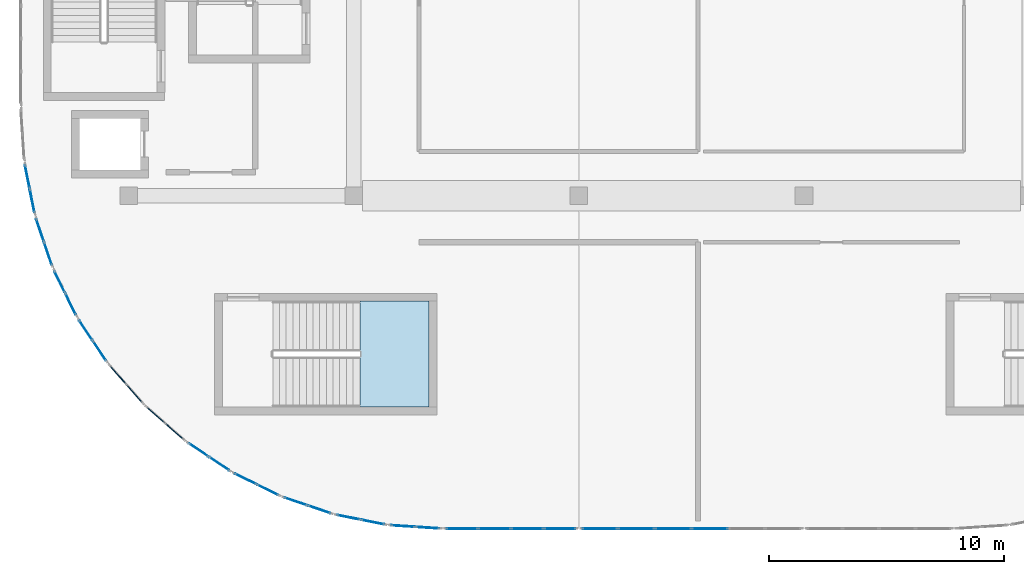
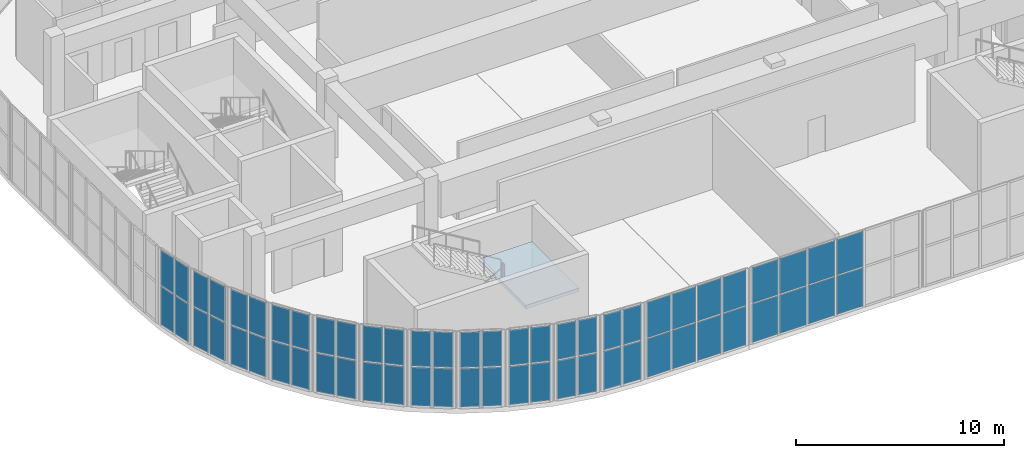
# One storey, part 15 of 28: 60 plates, 1 slab, 14 elements without a shape of their own.
"""IFC4 building model written with IfcOpenShell, lengths in metres."""

from ifc_helpers import new_model, si_unit, direction, frame, origin, origin_2d, place, context, subcontext, project, spatial, polyline, rectangle, outline, extrude, material, layer, layer_set, type_object, element, aggregate, save


model = new_model("IFC4")

# Units and contexts
model_context = context("Model", 3, precision=1e-05, world=origin(), true_north=direction((0.0, 1.0)))
body_context = subcontext(model_context, "Body", "Model", "MODEL_VIEW")
ifc_project = project(units=[si_unit("LENGTHUNIT", "METRE"), si_unit("AREAUNIT", "SQUARE_METRE"), si_unit("VOLUMEUNIT", "CUBIC_METRE"), si_unit("PLANEANGLEUNIT", "RADIAN"), si_unit("MASSUNIT", "GRAM", prefix="KILO")], contexts=[model_context])

# Site, building, storey
site_placement = place(None, origin())
site = spatial("IfcSite", under=ifc_project, at=site_placement, CompositionType="ELEMENT")
building_placement = place(site_placement, origin())
building = spatial("IfcBuilding", under=site, at=building_placement, Name="Cendralis Terraced Arcade", CompositionType="ELEMENT")
storey_placement = place(building_placement, frame((0.0, 0.0, 24.60009765625)))
storey = spatial("IfcBuildingStorey", under=building, at=storey_placement, Name="L05", CompositionType="ELEMENT", Elevation=24.60009765625)

# Curtain wall, plates
ifc_material_1 = material(Name="Anodised aluminium EN AW-6063 T6", Category="aluminium")
ifc_layer_1 = layer(ifc_material_1, 0.179931640625, Name="CW-UNIT-A")
ifc_layer_set_1 = layer_set([ifc_layer_1], Name="Anodised aluminium EN AW-6063 T6")
curtain_wall_type_1 = type_object("IfcCurtainWallType", Name="CW-UNIT-A", PredefinedType="USERDEFINED", material=ifc_layer_set_1)
curtain_wall_1_placement = place(storey_placement, origin())
curtain_wall_1 = element("IfcCurtainWall", 1, at=curtain_wall_1_placement, inside=storey, type_object=curtain_wall_type_1, Name="Exterior Unitised Facade CW-L05-0417", ObjectType="UNITISED FACADE", PredefinedType="USERDEFINED")
ifc_material_2 = material(Name="Tempered solar control laminated glass", Category="glass")
ifc_layer_2 = layer(ifc_material_2, 0.035888671875, Name="CW-UNIT-A-PNL")
ifc_layer_set_2 = layer_set([ifc_layer_2], Name="Tempered solar control laminated glass")
plate_type_1 = type_object("IfcPlateType", Name="CW-UNIT-A-PNL", PredefinedType="CURTAIN_PANEL", material=ifc_layer_set_2)
plate_1_placement = place(storey_placement, frame((22.3515625, 5.04248046875, 0.06494140625), z_axis=(0.0, 0.0, 1.0), x_axis=(-0.99785960626, 0.065392707503, 0.0)))
plate_1 = element("IfcPlate", 2, at=plate_1_placement, type_object=plate_type_1, Name="CW-U1 panel 1.1", PredefinedType="CURTAIN_PANEL", context=body_context, shape_type="SweptSolid", body=[
    extrude(rectangle(XDim=0.98974609375, YDim=0.035888671875, at=origin_2d()), origin(), (0.0, 0.0, 1.0), 2.247802734375),
])
plate_2_placement = place(storey_placement, frame((22.3515625, 5.04248046875, 2.37744140625), z_axis=(0.0, 0.0, 1.0), x_axis=(-0.99785960626, 0.065392707503, 0.0)))
plate_2 = element("IfcPlate", 3, at=plate_2_placement, type_object=plate_type_1, Name="CW-U1 panel 1.2", PredefinedType="CURTAIN_PANEL", context=body_context, shape_type="SweptSolid", body=[
    extrude(rectangle(XDim=0.98974609375, YDim=0.035888671875, at=origin_2d()), origin(), (0.0, 0.0, 1.0), 2.0673828125),
])
plate_3_placement = place(storey_placement, frame((21.299072265625, 5.111572265625, 0.06494140625), z_axis=(0.0, 0.0, 1.0), x_axis=(-0.99785960626, 0.065392707503, 0.0)))
plate_3 = element("IfcPlate", 4, at=plate_3_placement, type_object=plate_type_1, Name="CW-U1 panel 2.1", PredefinedType="CURTAIN_PANEL", context=body_context, shape_type="SweptSolid", body=[
    extrude(rectangle(XDim=0.98974609375, YDim=0.035888671875, at=origin_2d()), origin(), (0.0, 0.0, 1.0), 2.247802734375),
])
plate_4_placement = place(storey_placement, frame((21.299072265625, 5.111572265625, 2.37744140625), z_axis=(0.0, 0.0, 1.0), x_axis=(-0.99785960626, 0.065392707503, 0.0)))
plate_4 = element("IfcPlate", 5, at=plate_4_placement, type_object=plate_type_1, Name="CW-U1 panel 2.2", PredefinedType="CURTAIN_PANEL", context=body_context, shape_type="SweptSolid", body=[
    extrude(rectangle(XDim=0.98974609375, YDim=0.035888671875, at=origin_2d()), origin(), (0.0, 0.0, 1.0), 2.0673828125),
])
aggregate(curtain_wall_1, [plate_1, plate_2, plate_3, plate_4])

curtain_wall_2_placement = place(storey_placement, origin())
curtain_wall_2 = element("IfcCurtainWall", 6, at=curtain_wall_2_placement, inside=storey, type_object=curtain_wall_type_1, Name="Exterior Unitised Facade CW-L05-0418", ObjectType="UNITISED FACADE", PredefinedType="USERDEFINED")
plate_5_placement = place(storey_placement, frame((20.01318359375, 5.28076171875, 0.06494140625), z_axis=(0.0, 0.0, 1.0), x_axis=(-0.980794124594, 0.195045853998, 0.0)))
plate_5 = element("IfcPlate", 7, at=plate_5_placement, type_object=plate_type_1, Name="CW-U1 panel 1.1", PredefinedType="CURTAIN_PANEL", context=body_context, shape_type="SweptSolid", body=[
    extrude(rectangle(XDim=0.98974609375, YDim=0.035888671875, at=origin_2d()), origin(), (0.0, 0.0, 1.0), 2.247802734375),
])
plate_6_placement = place(storey_placement, frame((20.01318359375, 5.28076171875, 2.37744140625), z_axis=(0.0, 0.0, 1.0), x_axis=(-0.980794124594, 0.195045853998, 0.0)))
plate_6 = element("IfcPlate", 8, at=plate_6_placement, type_object=plate_type_1, Name="CW-U1 panel 1.2", PredefinedType="CURTAIN_PANEL", context=body_context, shape_type="SweptSolid", body=[
    extrude(rectangle(XDim=0.98974609375, YDim=0.035888671875, at=origin_2d()), origin(), (0.0, 0.0, 1.0), 2.0673828125),
])
plate_7_placement = place(storey_placement, frame((18.978759765625, 5.486572265625, 0.06494140625), z_axis=(0.0, 0.0, 1.0), x_axis=(-0.980794124594, 0.195045853998, 0.0)))
plate_7 = element("IfcPlate", 9, at=plate_7_placement, type_object=plate_type_1, Name="CW-U1 panel 2.1", PredefinedType="CURTAIN_PANEL", context=body_context, shape_type="SweptSolid", body=[
    extrude(rectangle(XDim=0.98974609375, YDim=0.035888671875, at=origin_2d()), origin(), (0.0, 0.0, 1.0), 2.247802734375),
])
plate_8_placement = place(storey_placement, frame((18.978759765625, 5.486572265625, 2.37744140625), z_axis=(0.0, 0.0, 1.0), x_axis=(-0.980794124594, 0.195045853998, 0.0)))
plate_8 = element("IfcPlate", 10, at=plate_8_placement, type_object=plate_type_1, Name="CW-U1 panel 2.2", PredefinedType="CURTAIN_PANEL", context=body_context, shape_type="SweptSolid", body=[
    extrude(rectangle(XDim=0.98974609375, YDim=0.035888671875, at=origin_2d()), origin(), (0.0, 0.0, 1.0), 2.0673828125),
])
aggregate(curtain_wall_2, [plate_5, plate_6, plate_7, plate_8])

curtain_wall_3_placement = place(storey_placement, origin())
curtain_wall_3 = element("IfcCurtainWall", 11, at=curtain_wall_3_placement, inside=storey, type_object=curtain_wall_type_1, Name="Exterior Unitised Facade CW-L05-0419", ObjectType="UNITISED FACADE", PredefinedType="USERDEFINED")
plate_9_placement = place(storey_placement, frame((17.725830078125, 5.822265625, 0.06494140625), z_axis=(0.0, 0.0, 1.0), x_axis=(-0.946916721066, 0.321478962554, 0.0)))
plate_9 = element("IfcPlate", 12, at=plate_9_placement, type_object=plate_type_1, Name="CW-U1 panel 1.1", PredefinedType="CURTAIN_PANEL", context=body_context, shape_type="SweptSolid", body=[
    extrude(rectangle(XDim=0.98974609375, YDim=0.035888671875, at=origin_2d()), origin(), (0.0, 0.0, 1.0), 2.247802734375),
])
plate_10_placement = place(storey_placement, frame((17.725830078125, 5.822265625, 2.37744140625), z_axis=(0.0, 0.0, 1.0), x_axis=(-0.946916721066, 0.321478962554, 0.0)))
plate_10 = element("IfcPlate", 13, at=plate_10_placement, type_object=plate_type_1, Name="CW-U1 panel 1.2", PredefinedType="CURTAIN_PANEL", context=body_context, shape_type="SweptSolid", body=[
    extrude(rectangle(XDim=0.98974609375, YDim=0.035888671875, at=origin_2d()), origin(), (0.0, 0.0, 1.0), 2.0673828125),
])
plate_11_placement = place(storey_placement, frame((16.72705078125, 6.161376953125, 0.06494140625), z_axis=(0.0, 0.0, 1.0), x_axis=(-0.946916721066, 0.321478962554, 0.0)))
plate_11 = element("IfcPlate", 14, at=plate_11_placement, type_object=plate_type_1, Name="CW-U1 panel 2.1", PredefinedType="CURTAIN_PANEL", context=body_context, shape_type="SweptSolid", body=[
    extrude(rectangle(XDim=0.98974609375, YDim=0.035888671875, at=origin_2d()), origin(), (0.0, 0.0, 1.0), 2.247802734375),
])
plate_12_placement = place(storey_placement, frame((16.72705078125, 6.161376953125, 2.37744140625), z_axis=(0.0, 0.0, 1.0), x_axis=(-0.946916721066, 0.321478962554, 0.0)))
plate_12 = element("IfcPlate", 15, at=plate_12_placement, type_object=plate_type_1, Name="CW-U1 panel 2.2", PredefinedType="CURTAIN_PANEL", context=body_context, shape_type="SweptSolid", body=[
    extrude(rectangle(XDim=0.98974609375, YDim=0.035888671875, at=origin_2d()), origin(), (0.0, 0.0, 1.0), 2.0673828125),
])
aggregate(curtain_wall_3, [plate_9, plate_10, plate_11, plate_12])

curtain_wall_4_placement = place(storey_placement, origin())
curtain_wall_4 = element("IfcCurtainWall", 16, at=curtain_wall_4_placement, inside=storey, type_object=curtain_wall_type_1, Name="Exterior Unitised Facade CW-L05-0420", ObjectType="UNITISED FACADE", PredefinedType="USERDEFINED")
plate_13_placement = place(storey_placement, frame((15.52880859375, 6.65771484375, 0.06494140625), z_axis=(0.0, 0.0, 1.0), x_axis=(-0.896887612731, 0.442258533133, 0.0)))
plate_13 = element("IfcPlate", 17, at=plate_13_placement, type_object=plate_type_1, Name="CW-U1 panel 1.1", PredefinedType="CURTAIN_PANEL", context=body_context, shape_type="SweptSolid", body=[
    extrude(rectangle(XDim=0.98974609375, YDim=0.035888671875, at=origin_2d()), origin(), (0.0, 0.0, 1.0), 2.247802734375),
])
plate_14_placement = place(storey_placement, frame((15.52880859375, 6.65771484375, 2.37744140625), z_axis=(0.0, 0.0, 1.0), x_axis=(-0.896887612731, 0.442258533133, 0.0)))
plate_14 = element("IfcPlate", 18, at=plate_14_placement, type_object=plate_type_1, Name="CW-U1 panel 1.2", PredefinedType="CURTAIN_PANEL", context=body_context, shape_type="SweptSolid", body=[
    extrude(rectangle(XDim=0.98974609375, YDim=0.035888671875, at=origin_2d()), origin(), (0.0, 0.0, 1.0), 2.0673828125),
])
plate_15_placement = place(storey_placement, frame((14.582763671875, 7.1240234375, 0.06494140625), z_axis=(0.0, 0.0, 1.0), x_axis=(-0.896887612731, 0.442258533133, 0.0)))
plate_15 = element("IfcPlate", 19, at=plate_15_placement, type_object=plate_type_1, Name="CW-U1 panel 2.1", PredefinedType="CURTAIN_PANEL", context=body_context, shape_type="SweptSolid", body=[
    extrude(rectangle(XDim=0.98974609375, YDim=0.035888671875, at=origin_2d()), origin(), (0.0, 0.0, 1.0), 2.247802734375),
])
plate_16_placement = place(storey_placement, frame((14.582763671875, 7.1240234375, 2.37744140625), z_axis=(0.0, 0.0, 1.0), x_axis=(-0.896887612731, 0.442258533133, 0.0)))
plate_16 = element("IfcPlate", 20, at=plate_16_placement, type_object=plate_type_1, Name="CW-U1 panel 2.2", PredefinedType="CURTAIN_PANEL", context=body_context, shape_type="SweptSolid", body=[
    extrude(rectangle(XDim=0.98974609375, YDim=0.035888671875, at=origin_2d()), origin(), (0.0, 0.0, 1.0), 2.0673828125),
])
aggregate(curtain_wall_4, [plate_13, plate_14, plate_15, plate_16])

curtain_wall_5_placement = place(storey_placement, origin())
curtain_wall_5 = element("IfcCurtainWall", 21, at=curtain_wall_5_placement, inside=storey, type_object=curtain_wall_type_1, Name="Exterior Unitised Facade CW-L05-0421", ObjectType="UNITISED FACADE", PredefinedType="USERDEFINED")
plate_17_placement = place(storey_placement, frame((13.459716796875, 7.7724609375, 0.06494140625), z_axis=(0.0, 0.0, 1.0), x_axis=(-0.831476791301, 0.555559488738, 0.0)))
plate_17 = element("IfcPlate", 22, at=plate_17_placement, type_object=plate_type_1, Name="CW-U1 panel 1.1", PredefinedType="CURTAIN_PANEL", context=body_context, shape_type="SweptSolid", body=[
    extrude(rectangle(XDim=0.98974609375, YDim=0.035888671875, at=origin_2d()), origin(), (0.0, 0.0, 1.0), 2.247802734375),
])
plate_18_placement = place(storey_placement, frame((13.459716796875, 7.7724609375, 2.37744140625), z_axis=(0.0, 0.0, 1.0), x_axis=(-0.831476791301, 0.555559488738, 0.0)))
plate_18 = element("IfcPlate", 23, at=plate_18_placement, type_object=plate_type_1, Name="CW-U1 panel 1.2", PredefinedType="CURTAIN_PANEL", context=body_context, shape_type="SweptSolid", body=[
    extrude(rectangle(XDim=0.98974609375, YDim=0.035888671875, at=origin_2d()), origin(), (0.0, 0.0, 1.0), 2.0673828125),
])
plate_19_placement = place(storey_placement, frame((12.58251953125, 8.358642578125, 0.06494140625), z_axis=(0.0, 0.0, 1.0), x_axis=(-0.831476791301, 0.555559488738, 0.0)))
plate_19 = element("IfcPlate", 24, at=plate_19_placement, type_object=plate_type_1, Name="CW-U1 panel 2.1", PredefinedType="CURTAIN_PANEL", context=body_context, shape_type="SweptSolid", body=[
    extrude(rectangle(XDim=0.98974609375, YDim=0.035888671875, at=origin_2d()), origin(), (0.0, 0.0, 1.0), 2.247802734375),
])
plate_20_placement = place(storey_placement, frame((12.58251953125, 8.358642578125, 2.37744140625), z_axis=(0.0, 0.0, 1.0), x_axis=(-0.831476791301, 0.555559488738, 0.0)))
plate_20 = element("IfcPlate", 25, at=plate_20_placement, type_object=plate_type_1, Name="CW-U1 panel 2.2", PredefinedType="CURTAIN_PANEL", context=body_context, shape_type="SweptSolid", body=[
    extrude(rectangle(XDim=0.98974609375, YDim=0.035888671875, at=origin_2d()), origin(), (0.0, 0.0, 1.0), 2.0673828125),
])
aggregate(curtain_wall_5, [plate_17, plate_18, plate_19, plate_20])

curtain_wall_6_placement = place(storey_placement, origin())
curtain_wall_6 = element("IfcCurtainWall", 26, at=curtain_wall_6_placement, inside=storey, type_object=curtain_wall_type_1, Name="Exterior Unitised Facade CW-L05-0422", ObjectType="UNITISED FACADE", PredefinedType="USERDEFINED")
plate_21_placement = place(storey_placement, frame((11.5537109375, 9.148193359375, 0.06494140625), z_axis=(0.0, 0.0, 1.0), x_axis=(-0.75178990847, 0.659402709672, 0.0)))
plate_21 = element("IfcPlate", 27, at=plate_21_placement, type_object=plate_type_1, Name="CW-U1 panel 1.1", PredefinedType="CURTAIN_PANEL", context=body_context, shape_type="SweptSolid", body=[
    extrude(rectangle(XDim=0.98974609375, YDim=0.035888671875, at=origin_2d()), origin(), (0.0, 0.0, 1.0), 2.247802734375),
])
plate_22_placement = place(storey_placement, frame((11.5537109375, 9.148193359375, 2.37744140625), z_axis=(0.0, 0.0, 1.0), x_axis=(-0.75178990847, 0.659402709672, 0.0)))
plate_22 = element("IfcPlate", 28, at=plate_22_placement, type_object=plate_type_1, Name="CW-U1 panel 1.2", PredefinedType="CURTAIN_PANEL", context=body_context, shape_type="SweptSolid", body=[
    extrude(rectangle(XDim=0.98974609375, YDim=0.035888671875, at=origin_2d()), origin(), (0.0, 0.0, 1.0), 2.0673828125),
])
plate_23_placement = place(storey_placement, frame((10.7607421875, 9.843505859375, 0.06494140625), z_axis=(0.0, 0.0, 1.0), x_axis=(-0.75178990847, 0.659402709672, 0.0)))
plate_23 = element("IfcPlate", 29, at=plate_23_placement, type_object=plate_type_1, Name="CW-U1 panel 2.1", PredefinedType="CURTAIN_PANEL", context=body_context, shape_type="SweptSolid", body=[
    extrude(rectangle(XDim=0.98974609375, YDim=0.035888671875, at=origin_2d()), origin(), (0.0, 0.0, 1.0), 2.247802734375),
])
plate_24_placement = place(storey_placement, frame((10.7607421875, 9.843505859375, 2.37744140625), z_axis=(0.0, 0.0, 1.0), x_axis=(-0.75178990847, 0.659402709672, 0.0)))
plate_24 = element("IfcPlate", 30, at=plate_24_placement, type_object=plate_type_1, Name="CW-U1 panel 2.2", PredefinedType="CURTAIN_PANEL", context=body_context, shape_type="SweptSolid", body=[
    extrude(rectangle(XDim=0.98974609375, YDim=0.035888671875, at=origin_2d()), origin(), (0.0, 0.0, 1.0), 2.0673828125),
])
aggregate(curtain_wall_6, [plate_21, plate_22, plate_23, plate_24])

curtain_wall_7_placement = place(storey_placement, origin())
curtain_wall_7 = element("IfcCurtainWall", 31, at=curtain_wall_7_placement, inside=storey, type_object=curtain_wall_type_1, Name="Exterior Unitised Facade CW-L05-0423", ObjectType="UNITISED FACADE", PredefinedType="USERDEFINED")
plate_25_placement = place(storey_placement, frame((9.843505859375, 10.7607421875, 0.06494140625), z_axis=(0.0, 0.0, 1.0), x_axis=(-0.659402709672, 0.75178990847, 0.0)))
plate_25 = element("IfcPlate", 32, at=plate_25_placement, type_object=plate_type_1, Name="CW-U1 panel 1.1", PredefinedType="CURTAIN_PANEL", context=body_context, shape_type="SweptSolid", body=[
    extrude(rectangle(XDim=0.98974609375, YDim=0.035888671875, at=origin_2d()), origin(), (0.0, 0.0, 1.0), 2.247802734375),
])
plate_26_placement = place(storey_placement, frame((9.843505859375, 10.7607421875, 2.37744140625), z_axis=(0.0, 0.0, 1.0), x_axis=(-0.659402709672, 0.75178990847, 0.0)))
plate_26 = element("IfcPlate", 33, at=plate_26_placement, type_object=plate_type_1, Name="CW-U1 panel 1.2", PredefinedType="CURTAIN_PANEL", context=body_context, shape_type="SweptSolid", body=[
    extrude(rectangle(XDim=0.98974609375, YDim=0.035888671875, at=origin_2d()), origin(), (0.0, 0.0, 1.0), 2.0673828125),
])
plate_27_placement = place(storey_placement, frame((9.148193359375, 11.5537109375, 0.06494140625), z_axis=(0.0, 0.0, 1.0), x_axis=(-0.659402709672, 0.75178990847, 0.0)))
plate_27 = element("IfcPlate", 34, at=plate_27_placement, type_object=plate_type_1, Name="CW-U1 panel 2.1", PredefinedType="CURTAIN_PANEL", context=body_context, shape_type="SweptSolid", body=[
    extrude(rectangle(XDim=0.98974609375, YDim=0.035888671875, at=origin_2d()), origin(), (0.0, 0.0, 1.0), 2.247802734375),
])
plate_28_placement = place(storey_placement, frame((9.148193359375, 11.5537109375, 2.37744140625), z_axis=(0.0, 0.0, 1.0), x_axis=(-0.659402709672, 0.75178990847, 0.0)))
plate_28 = element("IfcPlate", 35, at=plate_28_placement, type_object=plate_type_1, Name="CW-U1 panel 2.2", PredefinedType="CURTAIN_PANEL", context=body_context, shape_type="SweptSolid", body=[
    extrude(rectangle(XDim=0.98974609375, YDim=0.035888671875, at=origin_2d()), origin(), (0.0, 0.0, 1.0), 2.0673828125),
])
aggregate(curtain_wall_7, [plate_25, plate_26, plate_27, plate_28])

curtain_wall_8_placement = place(storey_placement, origin())
curtain_wall_8 = element("IfcCurtainWall", 36, at=curtain_wall_8_placement, inside=storey, type_object=curtain_wall_type_1, Name="Exterior Unitised Facade CW-L05-0424", ObjectType="UNITISED FACADE", PredefinedType="USERDEFINED")
plate_29_placement = place(storey_placement, frame((8.358642578125, 12.58251953125, 0.06494140625), z_axis=(0.0, 0.0, 1.0), x_axis=(-0.555559488738, 0.831476791301, 0.0)))
plate_29 = element("IfcPlate", 37, at=plate_29_placement, type_object=plate_type_1, Name="CW-U1 panel 1.1", PredefinedType="CURTAIN_PANEL", context=body_context, shape_type="SweptSolid", body=[
    extrude(rectangle(XDim=0.98974609375, YDim=0.035888671875, at=origin_2d()), origin(), (0.0, 0.0, 1.0), 2.247802734375),
])
plate_30_placement = place(storey_placement, frame((8.358642578125, 12.58251953125, 2.37744140625), z_axis=(0.0, 0.0, 1.0), x_axis=(-0.555559488738, 0.831476791301, 0.0)))
plate_30 = element("IfcPlate", 38, at=plate_30_placement, type_object=plate_type_1, Name="CW-U1 panel 1.2", PredefinedType="CURTAIN_PANEL", context=body_context, shape_type="SweptSolid", body=[
    extrude(rectangle(XDim=0.98974609375, YDim=0.035888671875, at=origin_2d()), origin(), (0.0, 0.0, 1.0), 2.0673828125),
])
plate_31_placement = place(storey_placement, frame((7.7724609375, 13.459716796875, 0.06494140625), z_axis=(0.0, 0.0, 1.0), x_axis=(-0.555559488738, 0.831476791301, 0.0)))
plate_31 = element("IfcPlate", 39, at=plate_31_placement, type_object=plate_type_1, Name="CW-U1 panel 2.1", PredefinedType="CURTAIN_PANEL", context=body_context, shape_type="SweptSolid", body=[
    extrude(rectangle(XDim=0.98974609375, YDim=0.035888671875, at=origin_2d()), origin(), (0.0, 0.0, 1.0), 2.247802734375),
])
plate_32_placement = place(storey_placement, frame((7.7724609375, 13.459716796875, 2.37744140625), z_axis=(0.0, 0.0, 1.0), x_axis=(-0.555559488738, 0.831476791301, 0.0)))
plate_32 = element("IfcPlate", 40, at=plate_32_placement, type_object=plate_type_1, Name="CW-U1 panel 2.2", PredefinedType="CURTAIN_PANEL", context=body_context, shape_type="SweptSolid", body=[
    extrude(rectangle(XDim=0.98974609375, YDim=0.035888671875, at=origin_2d()), origin(), (0.0, 0.0, 1.0), 2.0673828125),
])
aggregate(curtain_wall_8, [plate_29, plate_30, plate_31, plate_32])

curtain_wall_9_placement = place(storey_placement, origin())
curtain_wall_9 = element("IfcCurtainWall", 41, at=curtain_wall_9_placement, inside=storey, type_object=curtain_wall_type_1, Name="Exterior Unitised Facade CW-L05-0425", ObjectType="UNITISED FACADE", PredefinedType="USERDEFINED")
plate_33_placement = place(storey_placement, frame((7.1240234375, 14.582763671875, 0.06494140625), z_axis=(0.0, 0.0, 1.0), x_axis=(-0.442258533133, 0.896887612731, 0.0)))
plate_33 = element("IfcPlate", 42, at=plate_33_placement, type_object=plate_type_1, Name="CW-U1 panel 1.1", PredefinedType="CURTAIN_PANEL", context=body_context, shape_type="SweptSolid", body=[
    extrude(rectangle(XDim=0.98974609375, YDim=0.035888671875, at=origin_2d()), origin(), (0.0, 0.0, 1.0), 2.247802734375),
])
plate_34_placement = place(storey_placement, frame((7.1240234375, 14.582763671875, 2.37744140625), z_axis=(0.0, 0.0, 1.0), x_axis=(-0.442258533133, 0.896887612731, 0.0)))
plate_34 = element("IfcPlate", 43, at=plate_34_placement, type_object=plate_type_1, Name="CW-U1 panel 1.2", PredefinedType="CURTAIN_PANEL", context=body_context, shape_type="SweptSolid", body=[
    extrude(rectangle(XDim=0.98974609375, YDim=0.035888671875, at=origin_2d()), origin(), (0.0, 0.0, 1.0), 2.0673828125),
])
plate_35_placement = place(storey_placement, frame((6.65771484375, 15.52880859375, 0.06494140625), z_axis=(0.0, 0.0, 1.0), x_axis=(-0.442258533133, 0.896887612731, 0.0)))
plate_35 = element("IfcPlate", 44, at=plate_35_placement, type_object=plate_type_1, Name="CW-U1 panel 2.1", PredefinedType="CURTAIN_PANEL", context=body_context, shape_type="SweptSolid", body=[
    extrude(rectangle(XDim=0.98974609375, YDim=0.035888671875, at=origin_2d()), origin(), (0.0, 0.0, 1.0), 2.247802734375),
])
plate_36_placement = place(storey_placement, frame((6.65771484375, 15.52880859375, 2.37744140625), z_axis=(0.0, 0.0, 1.0), x_axis=(-0.442258533133, 0.896887612731, 0.0)))
plate_36 = element("IfcPlate", 45, at=plate_36_placement, type_object=plate_type_1, Name="CW-U1 panel 2.2", PredefinedType="CURTAIN_PANEL", context=body_context, shape_type="SweptSolid", body=[
    extrude(rectangle(XDim=0.98974609375, YDim=0.035888671875, at=origin_2d()), origin(), (0.0, 0.0, 1.0), 2.0673828125),
])
aggregate(curtain_wall_9, [plate_33, plate_34, plate_35, plate_36])

curtain_wall_10_placement = place(storey_placement, origin())
curtain_wall_10 = element("IfcCurtainWall", 46, at=curtain_wall_10_placement, inside=storey, type_object=curtain_wall_type_1, Name="Exterior Unitised Facade CW-L05-0426", ObjectType="UNITISED FACADE", PredefinedType="USERDEFINED")
plate_37_placement = place(storey_placement, frame((6.161376953125, 16.72705078125, 0.06494140625), z_axis=(0.0, 0.0, 1.0), x_axis=(-0.321478962554, 0.946916721066, 0.0)))
plate_37 = element("IfcPlate", 47, at=plate_37_placement, type_object=plate_type_1, Name="CW-U1 panel 1.1", PredefinedType="CURTAIN_PANEL", context=body_context, shape_type="SweptSolid", body=[
    extrude(rectangle(XDim=0.98974609375, YDim=0.035888671875, at=origin_2d()), origin(), (0.0, 0.0, 1.0), 2.247802734375),
])
plate_38_placement = place(storey_placement, frame((6.161376953125, 16.72705078125, 2.37744140625), z_axis=(0.0, 0.0, 1.0), x_axis=(-0.321478962554, 0.946916721066, 0.0)))
plate_38 = element("IfcPlate", 48, at=plate_38_placement, type_object=plate_type_1, Name="CW-U1 panel 1.2", PredefinedType="CURTAIN_PANEL", context=body_context, shape_type="SweptSolid", body=[
    extrude(rectangle(XDim=0.98974609375, YDim=0.035888671875, at=origin_2d()), origin(), (0.0, 0.0, 1.0), 2.0673828125),
])
plate_39_placement = place(storey_placement, frame((5.822265625, 17.725830078125, 0.06494140625), z_axis=(0.0, 0.0, 1.0), x_axis=(-0.321478962554, 0.946916721066, 0.0)))
plate_39 = element("IfcPlate", 49, at=plate_39_placement, type_object=plate_type_1, Name="CW-U1 panel 2.1", PredefinedType="CURTAIN_PANEL", context=body_context, shape_type="SweptSolid", body=[
    extrude(rectangle(XDim=0.98974609375, YDim=0.035888671875, at=origin_2d()), origin(), (0.0, 0.0, 1.0), 2.247802734375),
])
plate_40_placement = place(storey_placement, frame((5.822265625, 17.725830078125, 2.37744140625), z_axis=(0.0, 0.0, 1.0), x_axis=(-0.321478962554, 0.946916721066, 0.0)))
plate_40 = element("IfcPlate", 50, at=plate_40_placement, type_object=plate_type_1, Name="CW-U1 panel 2.2", PredefinedType="CURTAIN_PANEL", context=body_context, shape_type="SweptSolid", body=[
    extrude(rectangle(XDim=0.98974609375, YDim=0.035888671875, at=origin_2d()), origin(), (0.0, 0.0, 1.0), 2.0673828125),
])
aggregate(curtain_wall_10, [plate_37, plate_38, plate_39, plate_40])

curtain_wall_11_placement = place(storey_placement, origin())
curtain_wall_11 = element("IfcCurtainWall", 51, at=curtain_wall_11_placement, inside=storey, type_object=curtain_wall_type_1, Name="Exterior Unitised Facade CW-L05-0427", ObjectType="UNITISED FACADE", PredefinedType="USERDEFINED")
plate_41_placement = place(storey_placement, frame((5.486572265625, 18.978759765625, 0.06494140625), z_axis=(0.0, 0.0, 1.0), x_axis=(-0.195045853998, 0.980794124594, 0.0)))
plate_41 = element("IfcPlate", 52, at=plate_41_placement, type_object=plate_type_1, Name="CW-U1 panel 1.1", PredefinedType="CURTAIN_PANEL", context=body_context, shape_type="SweptSolid", body=[
    extrude(rectangle(XDim=0.98974609375, YDim=0.035888671875, at=origin_2d()), origin(), (0.0, 0.0, 1.0), 2.247802734375),
])
plate_42_placement = place(storey_placement, frame((5.486572265625, 18.978759765625, 2.37744140625), z_axis=(0.0, 0.0, 1.0), x_axis=(-0.195045853998, 0.980794124594, 0.0)))
plate_42 = element("IfcPlate", 53, at=plate_42_placement, type_object=plate_type_1, Name="CW-U1 panel 1.2", PredefinedType="CURTAIN_PANEL", context=body_context, shape_type="SweptSolid", body=[
    extrude(rectangle(XDim=0.98974609375, YDim=0.035888671875, at=origin_2d()), origin(), (0.0, 0.0, 1.0), 2.0673828125),
])
plate_43_placement = place(storey_placement, frame((5.28076171875, 20.01318359375, 0.06494140625), z_axis=(0.0, 0.0, 1.0), x_axis=(-0.195045853998, 0.980794124594, 0.0)))
plate_43 = element("IfcPlate", 54, at=plate_43_placement, type_object=plate_type_1, Name="CW-U1 panel 2.1", PredefinedType="CURTAIN_PANEL", context=body_context, shape_type="SweptSolid", body=[
    extrude(rectangle(XDim=0.98974609375, YDim=0.035888671875, at=origin_2d()), origin(), (0.0, 0.0, 1.0), 2.247802734375),
])
plate_44_placement = place(storey_placement, frame((5.28076171875, 20.01318359375, 2.37744140625), z_axis=(0.0, 0.0, 1.0), x_axis=(-0.195045853998, 0.980794124594, 0.0)))
plate_44 = element("IfcPlate", 55, at=plate_44_placement, type_object=plate_type_1, Name="CW-U1 panel 2.2", PredefinedType="CURTAIN_PANEL", context=body_context, shape_type="SweptSolid", body=[
    extrude(rectangle(XDim=0.98974609375, YDim=0.035888671875, at=origin_2d()), origin(), (0.0, 0.0, 1.0), 2.0673828125),
])
aggregate(curtain_wall_11, [plate_41, plate_42, plate_43, plate_44])

ifc_layer_3 = layer(ifc_material_1, 0.159912109375, Name="CW-UNIT-B")
ifc_layer_set_3 = layer_set([ifc_layer_3], Name="Anodised aluminium EN AW-6063 T6")
curtain_wall_type_2 = type_object("IfcCurtainWallType", Name="CW-UNIT-B", PredefinedType="USERDEFINED", material=ifc_layer_set_3)
curtain_wall_12_placement = place(storey_placement, origin())
curtain_wall_12 = element("IfcCurtainWall", 56, at=curtain_wall_12_placement, inside=storey, type_object=curtain_wall_type_2, Name="Exterior Unitised Facade CW-L05-0415", ObjectType="UNITISED FACADE", PredefinedType="USERDEFINED")
ifc_layer_4 = layer(ifc_material_2, 0.031982421875, Name="CW-UNIT-B-PNL")
ifc_layer_set_4 = layer_set([ifc_layer_4], Name="Tempered solar control laminated glass")
plate_type_2 = type_object("IfcPlateType", Name="CW-UNIT-B-PNL", PredefinedType="CURTAIN_PANEL", material=ifc_layer_set_4)
plate_45_placement = place(storey_placement, frame((34.385009765625, 5.0, 0.06005859375), z_axis=(0.0, 0.0, 1.0), x_axis=(-1.0, 0.0, 0.0)))
plate_45 = element("IfcPlate", 57, at=plate_45_placement, type_object=plate_type_2, Name="CW-U2 panel 3.1", PredefinedType="CURTAIN_PANEL", context=body_context, shape_type="SweptSolid", body=[
    extrude(rectangle(XDim=1.5048828125, YDim=0.031982421875, at=origin_2d()), origin(), (0.0, 0.0, 1.0), 2.255126953125),
])
plate_46_placement = place(storey_placement, frame((34.385009765625, 5.0, 2.375244140625), z_axis=(0.0, 0.0, 1.0), x_axis=(-1.0, 0.0, 0.0)))
plate_46 = element("IfcPlate", 58, at=plate_46_placement, type_object=plate_type_2, Name="CW-U2 panel 3.2", PredefinedType="CURTAIN_PANEL", context=body_context, shape_type="SweptSolid", body=[
    extrude(rectangle(XDim=1.5048828125, YDim=0.031982421875, at=origin_2d()), origin(), (0.0, 0.0, 1.0), 2.07470703125),
])
plate_47_placement = place(storey_placement, frame((32.81494140625, 5.0, 0.06005859375), z_axis=(0.0, 0.0, 1.0), x_axis=(-1.0, 0.0, 0.0)))
plate_47 = element("IfcPlate", 59, at=plate_47_placement, type_object=plate_type_2, Name="CW-U2 panel 4.1", PredefinedType="CURTAIN_PANEL", context=body_context, shape_type="SweptSolid", body=[
    extrude(rectangle(XDim=1.5048828125, YDim=0.031982421875, at=origin_2d()), origin(), (0.0, 0.0, 1.0), 2.255126953125),
])
plate_48_placement = place(storey_placement, frame((32.81494140625, 5.0, 2.375244140625), z_axis=(0.0, 0.0, 1.0), x_axis=(-1.0, 0.0, 0.0)))
plate_48 = element("IfcPlate", 60, at=plate_48_placement, type_object=plate_type_2, Name="CW-U2 panel 4.2", PredefinedType="CURTAIN_PANEL", context=body_context, shape_type="SweptSolid", body=[
    extrude(rectangle(XDim=1.5048828125, YDim=0.031982421875, at=origin_2d()), origin(), (0.0, 0.0, 1.0), 2.07470703125),
])
plate_49_placement = place(storey_placement, frame((31.2451171875, 5.0, 0.06005859375), z_axis=(0.0, 0.0, 1.0), x_axis=(-1.0, 0.0, 0.0)))
plate_49 = element("IfcPlate", 61, at=plate_49_placement, type_object=plate_type_2, Name="CW-U2 panel 5.1", PredefinedType="CURTAIN_PANEL", context=body_context, shape_type="SweptSolid", body=[
    extrude(rectangle(XDim=1.5048828125, YDim=0.031982421875, at=origin_2d()), origin(), (0.0, 0.0, 1.0), 2.255126953125),
])
plate_50_placement = place(storey_placement, frame((31.2451171875, 5.0, 2.375244140625), z_axis=(0.0, 0.0, 1.0), x_axis=(-1.0, 0.0, 0.0)))
plate_50 = element("IfcPlate", 62, at=plate_50_placement, type_object=plate_type_2, Name="CW-U2 panel 5.2", PredefinedType="CURTAIN_PANEL", context=body_context, shape_type="SweptSolid", body=[
    extrude(rectangle(XDim=1.5048828125, YDim=0.031982421875, at=origin_2d()), origin(), (0.0, 0.0, 1.0), 2.07470703125),
])
plate_51_placement = place(storey_placement, frame((29.691162109375, 5.0, 0.06005859375), z_axis=(0.0, 0.0, 1.0), x_axis=(-1.0, 0.0, 0.0)))
plate_51 = element("IfcPlate", 63, at=plate_51_placement, type_object=plate_type_2, Name="CW-U2 panel 6.1", PredefinedType="CURTAIN_PANEL", context=body_context, shape_type="SweptSolid", body=[
    extrude(rectangle(XDim=1.472412109375, YDim=0.031982421875, at=origin_2d()), origin(), (0.0, 0.0, 1.0), 2.255126953125),
])
plate_52_placement = place(storey_placement, frame((29.691162109375, 5.0, 2.375244140625), z_axis=(0.0, 0.0, 1.0), x_axis=(-1.0, 0.0, 0.0)))
plate_52 = element("IfcPlate", 64, at=plate_52_placement, type_object=plate_type_2, Name="CW-U2 panel 6.2", PredefinedType="CURTAIN_PANEL", context=body_context, shape_type="SweptSolid", body=[
    extrude(rectangle(XDim=1.472412109375, YDim=0.031982421875, at=origin_2d()), origin(), (0.0, 0.0, 1.0), 2.07470703125),
])
aggregate(curtain_wall_12, [plate_45, plate_46, plate_47, plate_48, plate_49, plate_50, plate_51, plate_52])

curtain_wall_13_placement = place(storey_placement, origin())
curtain_wall_13 = element("IfcCurtainWall", 65, at=curtain_wall_13_placement, inside=storey, type_object=curtain_wall_type_2, Name="Exterior Unitised Facade CW-L05-0416", ObjectType="UNITISED FACADE", PredefinedType="USERDEFINED")
plate_53_placement = place(storey_placement, frame((27.9912109375, 5.0, 0.06005859375), z_axis=(0.0, 0.0, 1.0), x_axis=(-1.0, 0.0, 0.0)))
plate_53 = element("IfcPlate", 66, at=plate_53_placement, type_object=plate_type_2, Name="CW-U2 panel 1.1", PredefinedType="CURTAIN_PANEL", context=body_context, shape_type="SweptSolid", body=[
    extrude(rectangle(XDim=1.3076171875, YDim=0.031982421875, at=origin_2d()), origin(), (0.0, 0.0, 1.0), 2.255126953125),
])
plate_54_placement = place(storey_placement, frame((27.9912109375, 5.0, 2.375244140625), z_axis=(0.0, 0.0, 1.0), x_axis=(-1.0, 0.0, 0.0)))
plate_54 = element("IfcPlate", 67, at=plate_54_placement, type_object=plate_type_2, Name="CW-U2 panel 1.2", PredefinedType="CURTAIN_PANEL", context=body_context, shape_type="SweptSolid", body=[
    extrude(rectangle(XDim=1.3076171875, YDim=0.031982421875, at=origin_2d()), origin(), (0.0, 0.0, 1.0), 2.07470703125),
])
plate_55_placement = place(storey_placement, frame((26.6025390625, 5.0, 0.06005859375), z_axis=(0.0, 0.0, 1.0), x_axis=(-1.0, 0.0, 0.0)))
plate_55 = element("IfcPlate", 68, at=plate_55_placement, type_object=plate_type_2, Name="CW-U2 panel 2.1", PredefinedType="CURTAIN_PANEL", context=body_context, shape_type="SweptSolid", body=[
    extrude(rectangle(XDim=1.340087890625, YDim=0.031982421875, at=origin_2d()), origin(), (0.0, 0.0, 1.0), 2.255126953125),
])
plate_56_placement = place(storey_placement, frame((26.6025390625, 5.0, 2.375244140625), z_axis=(0.0, 0.0, 1.0), x_axis=(-1.0, 0.0, 0.0)))
plate_56 = element("IfcPlate", 69, at=plate_56_placement, type_object=plate_type_2, Name="CW-U2 panel 2.2", PredefinedType="CURTAIN_PANEL", context=body_context, shape_type="SweptSolid", body=[
    extrude(rectangle(XDim=1.340087890625, YDim=0.031982421875, at=origin_2d()), origin(), (0.0, 0.0, 1.0), 2.07470703125),
])
plate_57_placement = place(storey_placement, frame((25.197509765625, 5.0, 0.06005859375), z_axis=(0.0, 0.0, 1.0), x_axis=(-1.0, 0.0, 0.0)))
plate_57 = element("IfcPlate", 70, at=plate_57_placement, type_object=plate_type_2, Name="CW-U2 panel 3.1", PredefinedType="CURTAIN_PANEL", context=body_context, shape_type="SweptSolid", body=[
    extrude(rectangle(XDim=1.340087890625, YDim=0.031982421875, at=origin_2d()), origin(), (0.0, 0.0, 1.0), 2.255126953125),
])
plate_58_placement = place(storey_placement, frame((25.197509765625, 5.0, 2.375244140625), z_axis=(0.0, 0.0, 1.0), x_axis=(-1.0, 0.0, 0.0)))
plate_58 = element("IfcPlate", 71, at=plate_58_placement, type_object=plate_type_2, Name="CW-U2 panel 3.2", PredefinedType="CURTAIN_PANEL", context=body_context, shape_type="SweptSolid", body=[
    extrude(rectangle(XDim=1.340087890625, YDim=0.031982421875, at=origin_2d()), origin(), (0.0, 0.0, 1.0), 2.07470703125),
])
plate_59_placement = place(storey_placement, frame((23.808837890625, 5.0, 0.06005859375), z_axis=(0.0, 0.0, 1.0), x_axis=(-1.0, 0.0, 0.0)))
plate_59 = element("IfcPlate", 72, at=plate_59_placement, type_object=plate_type_2, Name="CW-U2 panel 4.1", PredefinedType="CURTAIN_PANEL", context=body_context, shape_type="SweptSolid", body=[
    extrude(rectangle(XDim=1.3076171875, YDim=0.031982421875, at=origin_2d()), origin(), (0.0, 0.0, 1.0), 2.255126953125),
])
plate_60_placement = place(storey_placement, frame((23.808837890625, 5.0, 2.375244140625), z_axis=(0.0, 0.0, 1.0), x_axis=(-1.0, 0.0, 0.0)))
plate_60 = element("IfcPlate", 73, at=plate_60_placement, type_object=plate_type_2, Name="CW-U2 panel 4.2", PredefinedType="CURTAIN_PANEL", context=body_context, shape_type="SweptSolid", body=[
    extrude(rectangle(XDim=1.3076171875, YDim=0.031982421875, at=origin_2d()), origin(), (0.0, 0.0, 1.0), 2.07470703125),
])
aggregate(curtain_wall_13, [plate_53, plate_54, plate_55, plate_56, plate_57, plate_58, plate_59, plate_60])

# Stair, slab
ifc_material_3 = material(Name="Concrete f'c 35 MPa", Category="concrete")
stair_type = type_object("IfcStairType", Name="STR-W215-H480", PredefinedType="HALF_TURN_STAIR", material=ifc_material_3)
stair_placement = place(storey_placement, origin())
stair = element("IfcStair", 74, at=stair_placement, inside=storey, type_object=stair_type, Name="L05 Protected Exit Stair ST-02", PredefinedType="HALF_TURN_STAIR")
ifc_layer_5 = layer(ifc_material_3, 0.199951171875, Name="SLB-STAIR-LND-200")
ifc_layer_set_5 = layer_set([ifc_layer_5], Name="Concrete f'c 35 MPa")
slab_type = type_object("IfcSlabType", Name="SLB-STAIR-LND-200", PredefinedType="LANDING", material=ifc_layer_set_5)
slab_placement = place(storey_placement, frame((0.0, 0.0, 2.199951171875)))
slab = element("IfcSlab", 75, at=slab_placement, type_object=slab_type, Name="ST-02 landing 1", PredefinedType="LANDING", context=body_context, shape_type="SweptSolid", body=[
    extrude(outline(polyline([(19.455078125, 10.199951171875), (22.39990234375, 10.199951171875), (22.39990234375, 14.699951171875), (19.455078125, 14.699951171875), (19.455078125, 10.199951171875)])), origin(), (0.0, 0.0, 1.0), 0.199951171875),
])
aggregate(stair, [slab])

save(model, "model.ifc")
